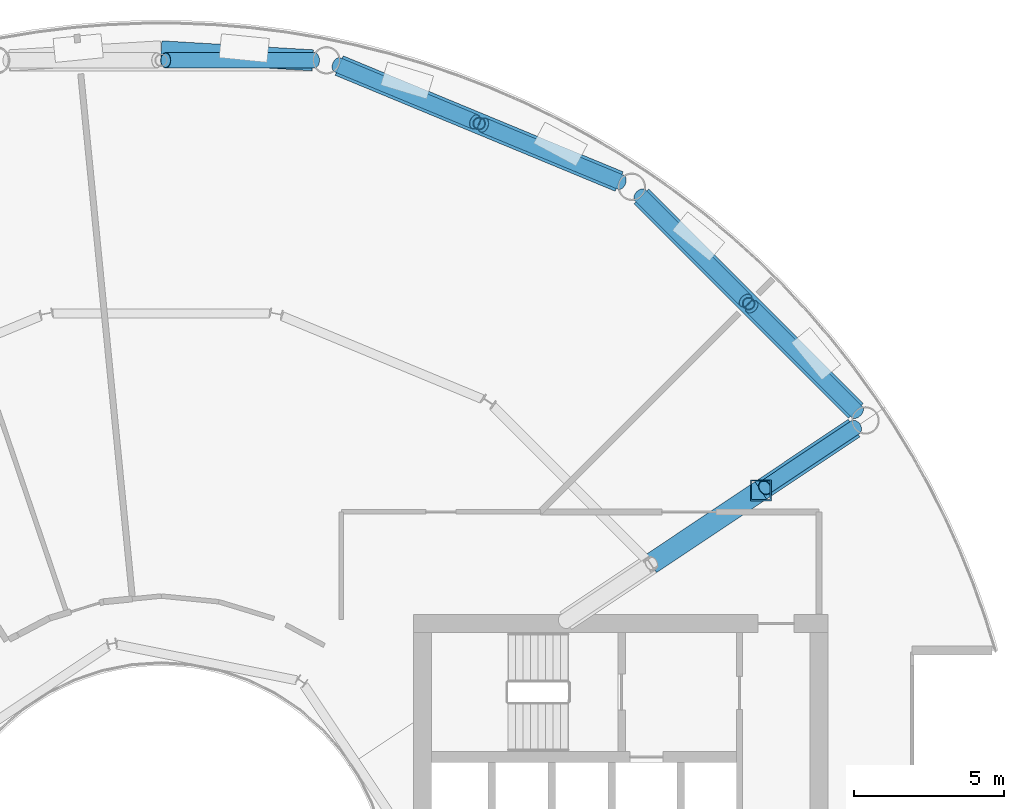
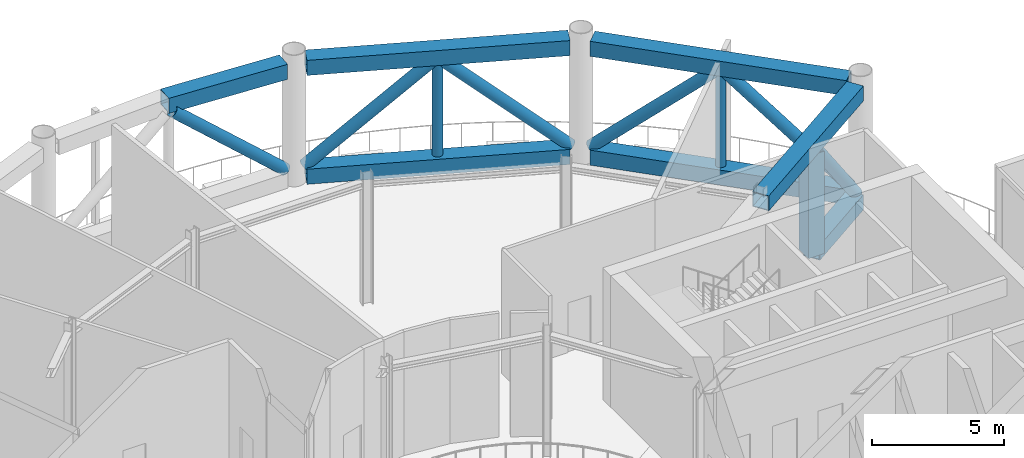
# One storey, part 10 of 25: 9 members, 7 beams.
"""IFC4 building model written with IfcOpenShell, lengths in metres."""

from ifc_helpers import new_model, si_unit, direction, frame, origin, origin_2d, place, context, subcontext, project, spatial, hollow_rectangle, hollow_circle, extrude, material, material_profile, profile_set, type_object, element, save


model = new_model("IFC4")

# Units and contexts
model_context = context("Model", 3, precision=1e-05, world=origin(), true_north=direction((0.0, 1.0)))
body_context = subcontext(model_context, "Body", "Model", "MODEL_VIEW")
ifc_project = project(units=[si_unit("LENGTHUNIT", "METRE"), si_unit("AREAUNIT", "SQUARE_METRE"), si_unit("VOLUMEUNIT", "CUBIC_METRE"), si_unit("PLANEANGLEUNIT", "RADIAN"), si_unit("MASSUNIT", "GRAM", prefix="KILO")], contexts=[model_context])

# Site, building, storey
site_placement = place(None, origin())
site = spatial("IfcSite", under=ifc_project, at=site_placement, CompositionType="ELEMENT")
building_placement = place(site_placement, origin())
building = spatial("IfcBuilding", under=site, at=building_placement, Name="Maasbend Ring Residences", CompositionType="ELEMENT")
storey_placement = place(building_placement, frame((0.0, 0.0, 139.10009765625)))
storey = spatial("IfcBuildingStorey", under=building, at=storey_placement, Name="L40", CompositionType="ELEMENT", Elevation=139.10009765625)

# Beams
ifc_material_1 = material(Name="Steel S460M", Category="steel")
ifc_material_profile_1 = material_profile(ifc_material_1, hollow_rectangle(XDim=0.699951171875, YDim=0.699951171875, WallThickness=0.0400390625, at=origin_2d()), Name="Belt truss chord BX 700x700x40")
ifc_profile_set_1 = profile_set([ifc_material_profile_1], Name="Steel S460M")
beam_type_1 = type_object("IfcBeamType", Name="Belt truss chord BX 700x700x40", PredefinedType="BEAM", material=ifc_profile_set_1)
for number, where, z_axis, x_axis, name in (
    (1, (23.124267578125, 15.990234375, 0.349853515625), (-0.707106781187, 0.707106781187, 0.0), (-0.707106781187, -0.707106781187, 0.0), "Belt truss"),
    (2, (23.124267578125, 15.990234375, 5.39990234375), (-0.707106781187, 0.707106781187, 0.0), (-0.707106781187, -0.707106781187, 0.0), "Belt truss"),
    (3, (15.244873046875, 23.622314453125, 0.349853515625), (-0.92388529709, 0.382669515144, 0.0), (-0.382669515144, -0.92388529709, 0.0), "Belt truss"),
    (4, (15.244873046875, 23.622314453125, 5.39990234375), (-0.92388529709, 0.382669515144, 0.0), (-0.382669515144, -0.92388529709, 0.0), "Belt truss"),
):
    element("IfcBeam", number, at=place(storey_placement, frame(where, z_axis=z_axis, x_axis=x_axis)), inside=storey, type_object=beam_type_1, Name=name, PredefinedType="BEAM", context=body_context, shape_type="SweptSolid", body=[
        extrude(hollow_rectangle(XDim=0.699951171875, YDim=0.699951171875, WallThickness=0.0400390625, at=origin_2d()), origin(), (0.0, 0.0, 1.0), 10.089111328125),
    ])
beam_1_placement = place(storey_placement, frame((5.04443359375, 27.658203125, 5.39990234375), z_axis=(-0.998238537698, 0.05932808655, 0.0), x_axis=(-0.05932808655, -0.998238537698, 0.0)))
element("IfcBeam", 5, at=beam_1_placement, inside=storey, type_object=beam_type_1, Name="Belt truss", PredefinedType="BEAM", context=body_context, shape_type="SweptSolid", body=[
    extrude(hollow_rectangle(XDim=0.699951171875, YDim=0.699951171875, WallThickness=0.0400390625, at=origin_2d()), origin(), (0.0, 0.0, 1.0), 5.05322265625),
])

# Members
ifc_material_2 = material(Name="Steel S460NH", Category="steel")
ifc_material_profile_2 = material_profile(ifc_material_2, hollow_circle(Radius=0.25390625, WallThickness=0.01611328125, at=origin_2d()), Name="Belt truss diagonal CHS 508x16")
ifc_profile_set_2 = profile_set([ifc_material_profile_2], Name="Steel S460NH")
member_type_1 = type_object("IfcMemberType", Name="Belt truss diagonal CHS 508x16", PredefinedType="BRACE", material=ifc_profile_set_2)
for number, where, z_axis, x_axis, name in (
    (6, (23.16357421875, 15.950927734375, 0.64990234375), (-0.525974052157, 0.525974052157, 0.668358132227), (-0.707106781187, -0.707106781187, 0.0), "Belt truss diagonal"),
    (7, (19.452880859375, 19.66162109375, 5.099853515625), (-0.525974052157, 0.525974052157, -0.668358132227), (-0.707106781187, -0.707106781187, 0.0), "Belt truss diagonal"),
):
    element("IfcMember", number, at=place(storey_placement, frame(where, z_axis=z_axis, x_axis=x_axis)), inside=storey, type_object=member_type_1, Name=name, PredefinedType="BRACE", context=body_context, shape_type="SweptSolid", body=[
        extrude(hollow_circle(Radius=0.25390625, WallThickness=0.01611328125, at=origin_2d()), origin(), (0.0, 0.0, 1.0), 6.657958984375),
    ])
for number, where, z_axis, x_axis, name in (
    (8, (15.29638671875, 23.60107421875, 0.64990234375), (-0.687230408207, 0.28465316716, 0.668346422495), (-0.382675413306, -0.923882854074, 0.0), "Belt truss diagonal"),
    (9, (10.447998046875, 25.609130859375, 5.099853515625), (-0.687230408207, 0.28465316716, -0.668346422495), (-0.382675413306, -0.923882854074, 0.0), "Belt truss diagonal"),
):
    element("IfcMember", number, at=place(storey_placement, frame(where, z_axis=z_axis, x_axis=x_axis)), inside=storey, type_object=member_type_1, Name=name, PredefinedType="BRACE", context=body_context, shape_type="SweptSolid", body=[
        extrude(hollow_circle(Radius=0.25390625, WallThickness=0.01611328125, at=origin_2d()), origin(), (0.0, 0.0, 1.0), 6.658203125),
    ])
member_1_placement = place(storey_placement, frame((5.10009765625, 27.658203125, 0.64990234375), z_axis=(-0.743831786321, 0.0, 0.668366870558), x_axis=(0.0, -1.0, 0.0)))
element("IfcMember", 10, at=member_1_placement, inside=storey, type_object=member_type_1, Name="Belt truss diagonal", PredefinedType="BRACE", context=body_context, shape_type="SweptSolid", body=[
    extrude(hollow_circle(Radius=0.25390625, WallThickness=0.01611328125, at=origin_2d()), origin(), (0.0, 0.0, 1.0), 6.657958984375),
])
ifc_material_3 = material(Name="Steel S460NH", Category="steel")
ifc_material_profile_3 = material_profile(ifc_material_3, hollow_circle(Radius=0.203125, WallThickness=0.01611328125, at=origin_2d()), Name="Belt truss post CHS 406.4x16")
ifc_profile_set_3 = profile_set([ifc_material_profile_3], Name="Steel S460NH")
member_type_2 = type_object("IfcMemberType", Name="Belt truss post CHS 406.4x16", PredefinedType="POST", material=ifc_profile_set_3)
for number, where, z_axis, x_axis, name in (
    (11, (19.55712890625, 19.55712890625, 0.699951171875), (0.0, 0.0, 1.0), (1.0, 0.0, 0.0), "Belt truss post"),
    (12, (10.584228515625, 25.552734375, 0.699951171875), (0.0, 0.0, 1.0), (1.0, 0.0, 0.0), "Belt truss post"),
):
    element("IfcMember", number, at=place(storey_placement, frame(where, z_axis=z_axis, x_axis=x_axis)), inside=storey, type_object=member_type_2, Name=name, PredefinedType="POST", context=body_context, shape_type="SweptSolid", body=[
        extrude(hollow_circle(Radius=0.203125, WallThickness=0.01611328125, at=origin_2d()), origin(), (0.0, 0.0, 1.0), 4.349853515625),
    ])

# Beams
ifc_material_4 = material(Name="Steel S460M", Category="steel")
ifc_material_profile_4 = material_profile(ifc_material_4, hollow_rectangle(XDim=0.699951171875, YDim=0.699951171875, WallThickness=0.0400390625, at=origin_2d()), Name="Outrigger truss chord BX 700x700x40")
ifc_profile_set_4 = profile_set([ifc_material_profile_4], Name="Steel S460M")
beam_type_2 = type_object("IfcBeamType", Name="Outrigger truss chord BX 700x700x40", PredefinedType="BEAM", material=ifc_profile_set_4)
beam_2_placement = place(storey_placement, frame((23.0673828125, 15.4130859375, 0.349853515625), z_axis=(-0.831476625974, -0.555559736175, 0.0), x_axis=(0.555559736175, -0.831476625974, 0.0)))
element("IfcBeam", 13, at=beam_2_placement, inside=storey, type_object=beam_type_2, Name="Outrigger truss", PredefinedType="BEAM", context=body_context, shape_type="SweptSolid", body=[
    extrude(hollow_rectangle(XDim=0.699951171875, YDim=0.699951171875, WallThickness=0.0400390625, at=origin_2d()), origin(), (0.0, 0.0, 1.0), 3.73486328125),
])
beam_3_placement = place(storey_placement, frame((23.0673828125, 15.4130859375, 5.39990234375), z_axis=(-0.831468075719, -0.555572532673, 0.0), x_axis=(0.555572532673, -0.831468075719, 0.0)))
element("IfcBeam", 14, at=beam_3_placement, inside=storey, type_object=beam_type_2, Name="Outrigger truss", PredefinedType="BEAM", context=body_context, shape_type="SweptSolid", body=[
    extrude(hollow_rectangle(XDim=0.699951171875, YDim=0.699951171875, WallThickness=0.0400390625, at=origin_2d()), origin(), (0.0, 0.0, 1.0), 8.135009765625),
])

# Members
ifc_material_5 = material(Name="Steel S460NH", Category="steel")
ifc_material_profile_5 = material_profile(ifc_material_5, hollow_circle(Radius=0.25390625, WallThickness=0.02490234375, at=origin_2d()), Name="Outrigger truss diagonal CHS 508x25")
ifc_profile_set_5 = profile_set([ifc_material_profile_5], Name="Steel S460NH")
member_type_3 = type_object("IfcMemberType", Name="Outrigger truss diagonal CHS 508x25", PredefinedType="BRACE", material=ifc_profile_set_5)
member_2_placement = place(storey_placement, frame((23.101318359375, 15.435791015625, 0.64990234375), z_axis=(-0.52409752366, -0.350193404269, 0.776328773974), x_axis=(0.555573122826, -0.831467681388, 0.0)))
element("IfcMember", 15, at=member_2_placement, inside=storey, type_object=member_type_3, Name="Outrigger truss diagonal", PredefinedType="BRACE", context=body_context, shape_type="SweptSolid", body=[
    extrude(hollow_circle(Radius=0.25390625, WallThickness=0.02490234375, at=origin_2d()), origin(), (0.0, 0.0, 1.0), 5.73193359375),
])
ifc_material_6 = material(Name="Steel S460M", Category="steel")
ifc_material_profile_6 = material_profile(ifc_material_6, hollow_rectangle(XDim=0.699951171875, YDim=0.699951171875, WallThickness=0.0400390625, at=origin_2d()), Name="Outrigger truss post BX 700x700x40")
ifc_profile_set_6 = profile_set([ifc_material_profile_6], Name="Steel S460M")
member_type_4 = type_object("IfcMemberType", Name="Outrigger truss post BX 700x700x40", PredefinedType="POST", material=ifc_profile_set_6)
member_3_placement = place(storey_placement, frame((19.9619140625, 13.338134765625, 0.2998046875), z_axis=(0.0, 0.0, 1.0), x_axis=(1.0, 0.0, 0.0)))
element("IfcMember", 16, at=member_3_placement, inside=storey, type_object=member_type_4, Name="Outrigger truss post", PredefinedType="POST", context=body_context, shape_type="SweptSolid", body=[
    extrude(hollow_rectangle(XDim=0.699951171875, YDim=0.699951171875, WallThickness=0.0400390625, at=origin_2d()), origin(), (0.0, 0.0, 1.0), 4.75),
])

save(model, "model.ifc")
